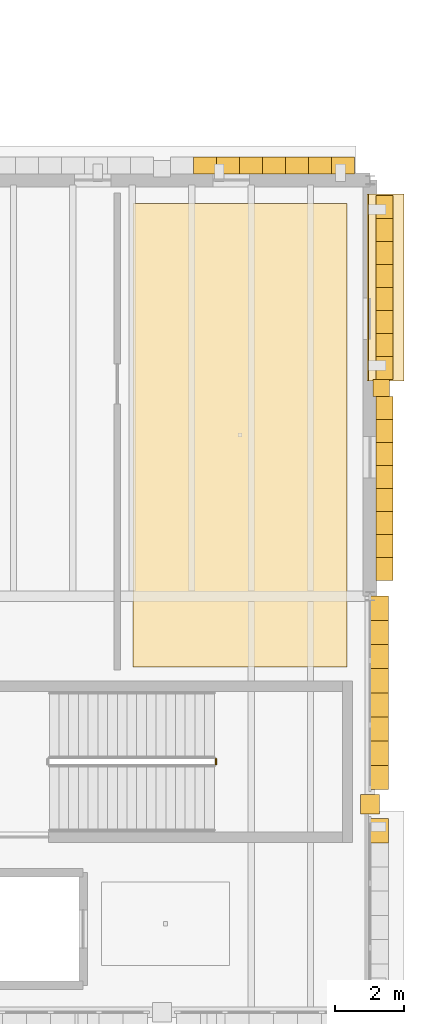
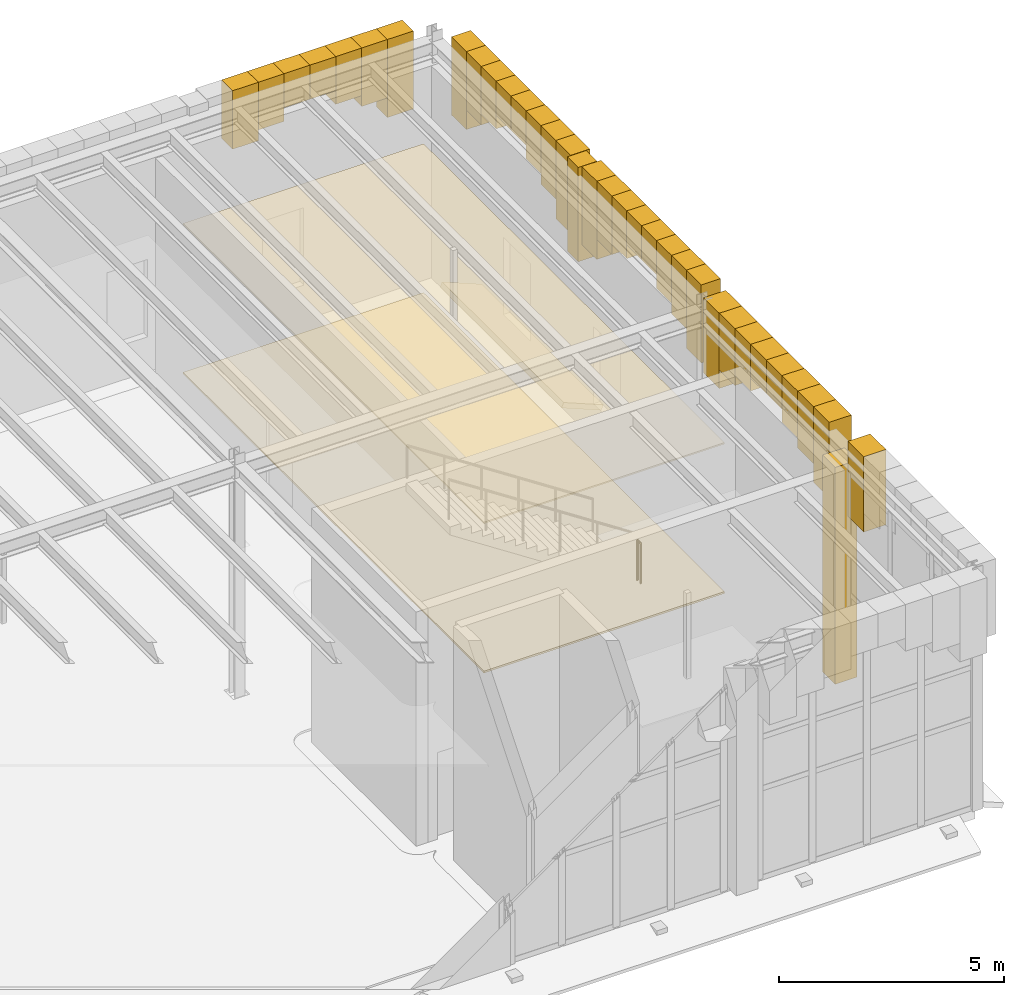
# One storey, part 61 of 62: 37 coverings, 1 railing.
"""IFC4 building model written with IfcOpenShell, lengths in metres."""

from ifc_helpers import new_model, si_unit, direction, frame, origin, origin_2d, place, context, subcontext, project, spatial, polyline, circle, outline, extrude, material, layer, layer_set, type_object, element, save


model = new_model("IFC4")

# Units and contexts
model_context = context("Model", 3, precision=1e-05, world=origin(), true_north=direction((0.0, 1.0)))
body_context = subcontext(model_context, "Body", "Model", "MODEL_VIEW")
ifc_project = project(units=[si_unit("LENGTHUNIT", "METRE"), si_unit("AREAUNIT", "SQUARE_METRE"), si_unit("VOLUMEUNIT", "CUBIC_METRE"), si_unit("PLANEANGLEUNIT", "RADIAN"), si_unit("MASSUNIT", "GRAM", prefix="KILO")], contexts=[model_context])

# Site, building, storey
site_placement = place(None, origin())
site = spatial("IfcSite", under=ifc_project, at=site_placement, CompositionType="ELEMENT")
building_placement = place(site_placement, origin())
building = spatial("IfcBuilding", under=site, at=building_placement, Name="Zlatogorsky Bluff Art Gallery", CompositionType="ELEMENT")
storey_placement = place(building_placement, frame((0.0, 0.0, 16.800048828125)))
storey = spatial("IfcBuildingStorey", under=building, at=storey_placement, Name="L03", CompositionType="ELEMENT", Elevation=16.800048828125)

# Coverings
ifc_material_1 = material(Name="Perforated Gypsum Acoustic Board", Category="gypsum")
ifc_layer_1 = layer(ifc_material_1, 0.0400390625)
ifc_layer_set_1 = layer_set([ifc_layer_1], Name="Acoustic Gallery Ceiling CLG-01")
covering_type_1 = type_object("IfcCoveringType", Name="Acoustic Gallery Ceiling CLG-01", PredefinedType="CEILING", material=ifc_layer_set_1)
covering_1_placement = place(storey_placement, frame((0.0, 0.0, 4.050048828125)))
element("IfcCovering", 1, at=covering_1_placement, inside=storey, type_object=covering_type_1, Name="Curatorial and Registrar Suite acoustic ceiling", PredefinedType="CEILING", context=body_context, shape_type="SweptSolid", body=[
    extrude(outline(polyline([(149.16064453125, 93.9599609375), (149.16064453125, 107.330078125), (155.330078125, 107.330078125), (155.330078125, 93.9599609375), (149.16064453125, 93.9599609375)])), origin(), (0.0, 0.0, 1.0), 0.039794921875),
])
ifc_material_2 = material(Name="Honed Red Agra-Tone Quartzitic Sandstone", Category="masonry")
ifc_layer_2 = layer(ifc_material_2, 0.1201171875)
ifc_layer_set_2 = layer_set([ifc_layer_2], Name="Carved Sandstone Cladding CLD-02")
covering_type_2 = type_object("IfcCoveringType", Name="Carved Sandstone Cladding CLD-02", PredefinedType="CLADDING", material=ifc_layer_set_2)
covering_2_placement = place(storey_placement, frame((0.0, 0.0, -0.030029296875)))
element("IfcCovering", 2, at=covering_2_placement, inside=storey, type_object=covering_type_2, Name="Mughal dalan central sandstone pier L03 E 12.8", PredefinedType="CLADDING", context=body_context, shape_type="SweptSolid", body=[
    extrude(outline(polyline([(155.719970703125, 89.719970703125), (156.280029296875, 89.719970703125), (156.280029296875, 90.280029296875), (155.719970703125, 90.280029296875), (155.719970703125, 89.719970703125)])), origin(), (0.0, 0.0, 1.0), 5.8798828125),
])
covering_3_placement = place(storey_placement, frame((0.0, 0.0, 4.517822265625)))
element("IfcCovering", 3, at=covering_3_placement, inside=storey, type_object=covering_type_2, Name="Pointed Mughal arch voussoir spandrel ARCH-CW-L03-E-12-08-A.8", PredefinedType="CLADDING", context=body_context, shape_type="SweptSolid", body=[
    extrude(outline(polyline([(155.969970703125, 88.882568359375), (155.969970703125, 89.580078125), (156.5400390625, 89.580078125), (156.5400390625, 88.882568359375), (155.969970703125, 88.882568359375)])), origin(), (0.0, 0.0, 1.0), 2.042236328125),
])
covering_4_placement = place(storey_placement, frame((0.0, 0.0, 4.517822265625)))
element("IfcCovering", 4, at=covering_4_placement, inside=storey, type_object=covering_type_2, Name="Pointed Mughal arch voussoir spandrel ARCH-CW-L03-E-12-08-B.1", PredefinedType="CLADDING", context=body_context, shape_type="SweptSolid", body=[
    extrude(outline(polyline([(155.969970703125, 90.419921875), (155.969970703125, 91.117431640625), (156.5400390625, 91.117431640625), (156.5400390625, 90.419921875), (155.969970703125, 90.419921875)])), origin(), (0.0, 0.0, 1.0), 2.042236328125),
])
covering_5_placement = place(storey_placement, frame((0.0, 0.0, 5.01953125)))
element("IfcCovering", 5, at=covering_5_placement, inside=storey, type_object=covering_type_2, Name="Pointed Mughal arch voussoir spandrel ARCH-CW-L03-E-12-08-B.2", PredefinedType="CLADDING", context=body_context, shape_type="SweptSolid", body=[
    extrude(outline(polyline([(155.969970703125, 91.117431640625), (155.969970703125, 91.81494140625), (156.5400390625, 91.81494140625), (156.5400390625, 91.117431640625), (155.969970703125, 91.117431640625)])), origin(), (0.0, 0.0, 1.0), 1.54052734375),
])
covering_6_placement = place(storey_placement, frame((0.0, 0.0, 5.29638671875)))
element("IfcCovering", 6, at=covering_6_placement, inside=storey, type_object=covering_type_2, Name="Pointed Mughal arch voussoir spandrel ARCH-CW-L03-E-12-08-B.3", PredefinedType="CLADDING", context=body_context, shape_type="SweptSolid", body=[
    extrude(outline(polyline([(155.969970703125, 91.81494140625), (155.969970703125, 92.512451171875), (156.5400390625, 92.512451171875), (156.5400390625, 91.81494140625), (155.969970703125, 91.81494140625)])), origin(), (0.0, 0.0, 1.0), 1.263671875),
])
covering_7_placement = place(storey_placement, frame((0.0, 0.0, 5.64453125)))
element("IfcCovering", 7, at=covering_7_placement, inside=storey, type_object=covering_type_2, Name="Pointed Mughal arch voussoir spandrel ARCH-CW-L03-E-12-08-B.4", PredefinedType="CLADDING", context=body_context, shape_type="SweptSolid", body=[
    extrude(outline(polyline([(155.969970703125, 92.512451171875), (155.969970703125, 93.2099609375), (156.5400390625, 93.2099609375), (156.5400390625, 92.512451171875), (155.969970703125, 92.512451171875)])), origin(), (0.0, 0.0, 1.0), 0.91552734375),
])
covering_8_placement = place(storey_placement, frame((0.0, 0.0, 5.64453125)))
element("IfcCovering", 8, at=covering_8_placement, inside=storey, type_object=covering_type_2, Name="Pointed Mughal arch voussoir spandrel ARCH-CW-L03-E-12-08-B.5", PredefinedType="CLADDING", context=body_context, shape_type="SweptSolid", body=[
    extrude(outline(polyline([(155.969970703125, 93.2099609375), (155.969970703125, 93.907470703125), (156.5400390625, 93.907470703125), (156.5400390625, 93.2099609375), (155.969970703125, 93.2099609375)])), origin(), (0.0, 0.0, 1.0), 0.91552734375),
])
covering_9_placement = place(storey_placement, frame((0.0, 0.0, 5.29638671875)))
element("IfcCovering", 9, at=covering_9_placement, inside=storey, type_object=covering_type_2, Name="Pointed Mughal arch voussoir spandrel ARCH-CW-L03-E-12-08-B.6", PredefinedType="CLADDING", context=body_context, shape_type="SweptSolid", body=[
    extrude(outline(polyline([(155.969970703125, 93.907470703125), (155.969970703125, 94.60498046875), (156.5400390625, 94.60498046875), (156.5400390625, 93.907470703125), (155.969970703125, 93.907470703125)])), origin(), (0.0, 0.0, 1.0), 1.263671875),
])
covering_10_placement = place(storey_placement, frame((0.0, 0.0, 5.01953125)))
element("IfcCovering", 10, at=covering_10_placement, inside=storey, type_object=covering_type_2, Name="Pointed Mughal arch voussoir spandrel ARCH-CW-L03-E-12-08-B.7", PredefinedType="CLADDING", context=body_context, shape_type="SweptSolid", body=[
    extrude(outline(polyline([(155.969970703125, 94.60498046875), (155.969970703125, 95.302490234375), (156.5400390625, 95.302490234375), (156.5400390625, 94.60498046875), (155.969970703125, 94.60498046875)])), origin(), (0.0, 0.0, 1.0), 1.54052734375),
])
covering_11_placement = place(storey_placement, frame((0.0, 0.0, 4.517822265625)))
element("IfcCovering", 11, at=covering_11_placement, inside=storey, type_object=covering_type_2, Name="Pointed Mughal arch voussoir spandrel ARCH-CW-L03-E-12-08-B.8", PredefinedType="CLADDING", context=body_context, shape_type="SweptSolid", body=[
    extrude(outline(polyline([(155.969970703125, 95.302490234375), (155.969970703125, 96.0), (156.5400390625, 96.0), (156.5400390625, 95.302490234375), (155.969970703125, 95.302490234375)])), origin(), (0.0, 0.0, 1.0), 2.042236328125),
])
covering_12_placement = place(storey_placement, frame((0.0, 0.0, 4.9736328125)))
element("IfcCovering", 12, at=covering_12_placement, inside=storey, type_object=covering_type_2, Name="Pointed Mughal arch voussoir spandrel WARCH-L03-N-12-09-B.2", PredefinedType="CLADDING", context=body_context, shape_type="SweptSolid", body=[
    extrude(outline(polyline([(150.91259765625, 108.169921875), (151.574951171875, 108.169921875), (151.574951171875, 108.659912109375), (150.91259765625, 108.659912109375), (150.91259765625, 108.169921875)])), origin(), (0.0, 0.0, 1.0), 1.58642578125),
])
covering_13_placement = place(storey_placement, frame((0.0, 0.0, 5.2666015625)))
element("IfcCovering", 13, at=covering_13_placement, inside=storey, type_object=covering_type_2, Name="Pointed Mughal arch voussoir spandrel WARCH-L03-N-12-09-B.3", PredefinedType="CLADDING", context=body_context, shape_type="SweptSolid", body=[
    extrude(outline(polyline([(151.574951171875, 108.169921875), (152.237548828125, 108.169921875), (152.237548828125, 108.659912109375), (151.574951171875, 108.659912109375), (151.574951171875, 108.169921875)])), origin(), (0.0, 0.0, 1.0), 1.29345703125),
])
covering_14_placement = place(storey_placement, frame((0.0, 0.0, 5.63525390625)))
element("IfcCovering", 14, at=covering_14_placement, inside=storey, type_object=covering_type_2, Name="Pointed Mughal arch voussoir spandrel WARCH-L03-N-12-09-B.4", PredefinedType="CLADDING", context=body_context, shape_type="SweptSolid", body=[
    extrude(outline(polyline([(152.237548828125, 108.169921875), (152.89990234375, 108.169921875), (152.89990234375, 108.659912109375), (152.237548828125, 108.659912109375), (152.237548828125, 108.169921875)])), origin(), (0.0, 0.0, 1.0), 0.9248046875),
])
covering_15_placement = place(storey_placement, frame((0.0, 0.0, 5.63525390625)))
element("IfcCovering", 15, at=covering_15_placement, inside=storey, type_object=covering_type_2, Name="Pointed Mughal arch voussoir spandrel WARCH-L03-N-12-09-B.5", PredefinedType="CLADDING", context=body_context, shape_type="SweptSolid", body=[
    extrude(outline(polyline([(152.89990234375, 108.169921875), (153.5625, 108.169921875), (153.5625, 108.659912109375), (152.89990234375, 108.659912109375), (152.89990234375, 108.169921875)])), origin(), (0.0, 0.0, 1.0), 0.9248046875),
])
covering_16_placement = place(storey_placement, frame((0.0, 0.0, 5.2666015625)))
element("IfcCovering", 16, at=covering_16_placement, inside=storey, type_object=covering_type_2, Name="Pointed Mughal arch voussoir spandrel WARCH-L03-N-12-09-B.6", PredefinedType="CLADDING", context=body_context, shape_type="SweptSolid", body=[
    extrude(outline(polyline([(153.5625, 108.169921875), (154.22509765625, 108.169921875), (154.22509765625, 108.659912109375), (153.5625, 108.659912109375), (153.5625, 108.169921875)])), origin(), (0.0, 0.0, 1.0), 1.29345703125),
])
covering_17_placement = place(storey_placement, frame((0.0, 0.0, 4.9736328125)))
element("IfcCovering", 17, at=covering_17_placement, inside=storey, type_object=covering_type_2, Name="Pointed Mughal arch voussoir spandrel WARCH-L03-N-12-09-B.7", PredefinedType="CLADDING", context=body_context, shape_type="SweptSolid", body=[
    extrude(outline(polyline([(154.22509765625, 108.169921875), (154.887451171875, 108.169921875), (154.887451171875, 108.659912109375), (154.22509765625, 108.659912109375), (154.22509765625, 108.169921875)])), origin(), (0.0, 0.0, 1.0), 1.58642578125),
])
covering_18_placement = place(storey_placement, frame((0.0, 0.0, 4.4423828125)))
element("IfcCovering", 18, at=covering_18_placement, inside=storey, type_object=covering_type_2, Name="Pointed Mughal arch voussoir spandrel WARCH-L03-N-12-09-B.8", PredefinedType="CLADDING", context=body_context, shape_type="SweptSolid", body=[
    extrude(outline(polyline([(154.887451171875, 108.169921875), (155.550048828125, 108.169921875), (155.550048828125, 108.659912109375), (154.887451171875, 108.659912109375), (154.887451171875, 108.169921875)])), origin(), (0.0, 0.0, 1.0), 2.11767578125),
])
covering_19_placement = place(storey_placement, frame((0.0, 0.0, 4.0)))
element("IfcCovering", 19, at=covering_19_placement, inside=storey, type_object=covering_type_2, Name="Mughal blind-arch sandstone pilaster L03.E.12.9", PredefinedType="CLADDING", context=body_context, shape_type="SweptSolid", body=[
    extrude(outline(polyline([(156.080078125, 101.760009765625), (156.56005859375, 101.760009765625), (156.56005859375, 102.239990234375), (156.080078125, 102.239990234375), (156.080078125, 101.760009765625)])), origin(), (0.0, 0.0, 1.0), 2.56005859375),
])
covering_20_placement = place(storey_placement, frame((0.0, 0.0, 4.4423828125)))
element("IfcCovering", 20, at=covering_20_placement, inside=storey, type_object=covering_type_2, Name="Pointed Mughal arch voussoir spandrel WARCH-L03-E-12-09-A.1", PredefinedType="CLADDING", context=body_context, shape_type="SweptSolid", body=[
    extrude(outline(polyline([(156.169921875, 96.449951171875), (156.169921875, 97.112548828125), (156.659912109375, 97.112548828125), (156.659912109375, 96.449951171875), (156.169921875, 96.449951171875)])), origin(), (0.0, 0.0, 1.0), 2.11767578125),
])
covering_21_placement = place(storey_placement, frame((0.0, 0.0, 4.9736328125)))
element("IfcCovering", 21, at=covering_21_placement, inside=storey, type_object=covering_type_2, Name="Pointed Mughal arch voussoir spandrel WARCH-L03-E-12-09-A.2", PredefinedType="CLADDING", context=body_context, shape_type="SweptSolid", body=[
    extrude(outline(polyline([(156.169921875, 97.112548828125), (156.169921875, 97.77490234375), (156.659912109375, 97.77490234375), (156.659912109375, 97.112548828125), (156.169921875, 97.112548828125)])), origin(), (0.0, 0.0, 1.0), 1.58642578125),
])
covering_22_placement = place(storey_placement, frame((0.0, 0.0, 5.2666015625)))
element("IfcCovering", 22, at=covering_22_placement, inside=storey, type_object=covering_type_2, Name="Pointed Mughal arch voussoir spandrel WARCH-L03-E-12-09-A.3", PredefinedType="CLADDING", context=body_context, shape_type="SweptSolid", body=[
    extrude(outline(polyline([(156.169921875, 97.77490234375), (156.169921875, 98.4375), (156.659912109375, 98.4375), (156.659912109375, 97.77490234375), (156.169921875, 97.77490234375)])), origin(), (0.0, 0.0, 1.0), 1.29345703125),
])
covering_23_placement = place(storey_placement, frame((0.0, 0.0, 5.63525390625)))
element("IfcCovering", 23, at=covering_23_placement, inside=storey, type_object=covering_type_2, Name="Pointed Mughal arch voussoir spandrel WARCH-L03-E-12-09-A.4", PredefinedType="CLADDING", context=body_context, shape_type="SweptSolid", body=[
    extrude(outline(polyline([(156.169921875, 98.4375), (156.169921875, 99.10009765625), (156.659912109375, 99.10009765625), (156.659912109375, 98.4375), (156.169921875, 98.4375)])), origin(), (0.0, 0.0, 1.0), 0.9248046875),
])
covering_24_placement = place(storey_placement, frame((0.0, 0.0, 5.63525390625)))
element("IfcCovering", 24, at=covering_24_placement, inside=storey, type_object=covering_type_2, Name="Pointed Mughal arch voussoir spandrel WARCH-L03-E-12-09-A.5", PredefinedType="CLADDING", context=body_context, shape_type="SweptSolid", body=[
    extrude(outline(polyline([(156.169921875, 99.10009765625), (156.169921875, 99.762451171875), (156.659912109375, 99.762451171875), (156.659912109375, 99.10009765625), (156.169921875, 99.10009765625)])), origin(), (0.0, 0.0, 1.0), 0.9248046875),
])
covering_25_placement = place(storey_placement, frame((0.0, 0.0, 5.2666015625)))
element("IfcCovering", 25, at=covering_25_placement, inside=storey, type_object=covering_type_2, Name="Pointed Mughal arch voussoir spandrel WARCH-L03-E-12-09-A.6", PredefinedType="CLADDING", context=body_context, shape_type="SweptSolid", body=[
    extrude(outline(polyline([(156.169921875, 99.762451171875), (156.169921875, 100.425048828125), (156.659912109375, 100.425048828125), (156.659912109375, 99.762451171875), (156.169921875, 99.762451171875)])), origin(), (0.0, 0.0, 1.0), 1.29345703125),
])
covering_26_placement = place(storey_placement, frame((0.0, 0.0, 4.9736328125)))
element("IfcCovering", 26, at=covering_26_placement, inside=storey, type_object=covering_type_2, Name="Pointed Mughal arch voussoir spandrel WARCH-L03-E-12-09-A.7", PredefinedType="CLADDING", context=body_context, shape_type="SweptSolid", body=[
    extrude(outline(polyline([(156.169921875, 100.425048828125), (156.169921875, 101.08740234375), (156.659912109375, 101.08740234375), (156.659912109375, 100.425048828125), (156.169921875, 100.425048828125)])), origin(), (0.0, 0.0, 1.0), 1.58642578125),
])
covering_27_placement = place(storey_placement, frame((0.0, 0.0, 4.4423828125)))
element("IfcCovering", 27, at=covering_27_placement, inside=storey, type_object=covering_type_2, Name="Pointed Mughal arch voussoir spandrel WARCH-L03-E-12-09-A.8", PredefinedType="CLADDING", context=body_context, shape_type="SweptSolid", body=[
    extrude(outline(polyline([(156.169921875, 101.08740234375), (156.169921875, 101.75), (156.659912109375, 101.75), (156.659912109375, 101.08740234375), (156.169921875, 101.08740234375)])), origin(), (0.0, 0.0, 1.0), 2.11767578125),
])
covering_28_placement = place(storey_placement, frame((0.0, 0.0, 4.4423828125)))
element("IfcCovering", 28, at=covering_28_placement, inside=storey, type_object=covering_type_2, Name="Pointed Mughal arch voussoir spandrel WARCH-L03-E-12-09-B.1", PredefinedType="CLADDING", context=body_context, shape_type="SweptSolid", body=[
    extrude(outline(polyline([(156.169921875, 102.25), (156.169921875, 102.91259765625), (156.659912109375, 102.91259765625), (156.659912109375, 102.25), (156.169921875, 102.25)])), origin(), (0.0, 0.0, 1.0), 2.11767578125),
])
covering_29_placement = place(storey_placement, frame((0.0, 0.0, 4.9736328125)))
element("IfcCovering", 29, at=covering_29_placement, inside=storey, type_object=covering_type_2, Name="Pointed Mughal arch voussoir spandrel WARCH-L03-E-12-09-B.2", PredefinedType="CLADDING", context=body_context, shape_type="SweptSolid", body=[
    extrude(outline(polyline([(156.169921875, 102.91259765625), (156.169921875, 103.574951171875), (156.659912109375, 103.574951171875), (156.659912109375, 102.91259765625), (156.169921875, 102.91259765625)])), origin(), (0.0, 0.0, 1.0), 1.58642578125),
])
covering_30_placement = place(storey_placement, frame((0.0, 0.0, 5.2666015625)))
element("IfcCovering", 30, at=covering_30_placement, inside=storey, type_object=covering_type_2, Name="Pointed Mughal arch voussoir spandrel WARCH-L03-E-12-09-B.3", PredefinedType="CLADDING", context=body_context, shape_type="SweptSolid", body=[
    extrude(outline(polyline([(156.169921875, 103.574951171875), (156.169921875, 104.237548828125), (156.659912109375, 104.237548828125), (156.659912109375, 103.574951171875), (156.169921875, 103.574951171875)])), origin(), (0.0, 0.0, 1.0), 1.29345703125),
])
covering_31_placement = place(storey_placement, frame((0.0, 0.0, 5.63525390625)))
element("IfcCovering", 31, at=covering_31_placement, inside=storey, type_object=covering_type_2, Name="Pointed Mughal arch voussoir spandrel WARCH-L03-E-12-09-B.4", PredefinedType="CLADDING", context=body_context, shape_type="SweptSolid", body=[
    extrude(outline(polyline([(156.169921875, 104.237548828125), (156.169921875, 104.89990234375), (156.659912109375, 104.89990234375), (156.659912109375, 104.237548828125), (156.169921875, 104.237548828125)])), origin(), (0.0, 0.0, 1.0), 0.9248046875),
])
covering_32_placement = place(storey_placement, frame((0.0, 0.0, 5.63525390625)))
element("IfcCovering", 32, at=covering_32_placement, inside=storey, type_object=covering_type_2, Name="Pointed Mughal arch voussoir spandrel WARCH-L03-E-12-09-B.5", PredefinedType="CLADDING", context=body_context, shape_type="SweptSolid", body=[
    extrude(outline(polyline([(156.169921875, 104.89990234375), (156.169921875, 105.5625), (156.659912109375, 105.5625), (156.659912109375, 104.89990234375), (156.169921875, 104.89990234375)])), origin(), (0.0, 0.0, 1.0), 0.9248046875),
])
covering_33_placement = place(storey_placement, frame((0.0, 0.0, 5.2666015625)))
element("IfcCovering", 33, at=covering_33_placement, inside=storey, type_object=covering_type_2, Name="Pointed Mughal arch voussoir spandrel WARCH-L03-E-12-09-B.6", PredefinedType="CLADDING", context=body_context, shape_type="SweptSolid", body=[
    extrude(outline(polyline([(156.169921875, 105.5625), (156.169921875, 106.22509765625), (156.659912109375, 106.22509765625), (156.659912109375, 105.5625), (156.169921875, 105.5625)])), origin(), (0.0, 0.0, 1.0), 1.29345703125),
])
covering_34_placement = place(storey_placement, frame((0.0, 0.0, 4.9736328125)))
element("IfcCovering", 34, at=covering_34_placement, inside=storey, type_object=covering_type_2, Name="Pointed Mughal arch voussoir spandrel WARCH-L03-E-12-09-B.7", PredefinedType="CLADDING", context=body_context, shape_type="SweptSolid", body=[
    extrude(outline(polyline([(156.169921875, 106.22509765625), (156.169921875, 106.887451171875), (156.659912109375, 106.887451171875), (156.659912109375, 106.22509765625), (156.169921875, 106.22509765625)])), origin(), (0.0, 0.0, 1.0), 1.58642578125),
])
covering_35_placement = place(storey_placement, frame((0.0, 0.0, 4.4423828125)))
element("IfcCovering", 35, at=covering_35_placement, inside=storey, type_object=covering_type_2, Name="Pointed Mughal arch voussoir spandrel WARCH-L03-E-12-09-B.8", PredefinedType="CLADDING", context=body_context, shape_type="SweptSolid", body=[
    extrude(outline(polyline([(156.169921875, 106.887451171875), (156.169921875, 107.550048828125), (156.659912109375, 107.550048828125), (156.659912109375, 106.887451171875), (156.169921875, 106.887451171875)])), origin(), (0.0, 0.0, 1.0), 2.11767578125),
])
covering_36_placement = place(storey_placement, frame((155.9599609375, 107.60009765625, -0.0400390625), z_axis=(0.380683013172, 0.0, 0.924705598276), x_axis=(0.0, -1.0, 0.0)))
element("IfcCovering", 36, at=covering_36_placement, inside=storey, type_object=covering_type_2, Name="Projecting sloped Mughal chhajja stone eave CHJ-NE-E-L03B", PredefinedType="CLADDING", context=body_context, shape_type="SweptSolid", body=[
    extrude(outline(polyline([(0.0, 0.0), (5.400146484375, 0.0), (5.400146484375, 1.1030748955691927), (0.0, 1.1030748955691927), (0.0, 0.0)])), origin(), (0.0, 0.0, -1.0), 0.139892578125),
])

# Railing
ifc_material_3 = material(Name="Architectural Bronze and Laminated Glass", Category="glass")
railing_type = type_object("IfcRailingType", Name="Gallery Guard Rail 1100mm", PredefinedType="GUARDRAIL", material=ifc_material_3)
railing_placement = place(storey_placement, frame((151.56005859375, 91.14990234375, 3.300048828125)))
element("IfcRailing", 37, at=railing_placement, inside=storey, type_object=railing_type, Name="L03 ST-04 stair guard 2", PredefinedType="GUARDRAIL", context=body_context, shape_type="SweptSolid", body=[
    extrude(circle(Radius=0.02392578125, at=origin_2d()), frame((0.0, 0.0, 1.076171875), z_axis=(0.0, 1.0, 0.0), x_axis=(-1.0, 0.0, 0.0)), (0.0, 0.0, 1.0), 0.150146484375),
    extrude(circle(Radius=0.02099609375, at=origin_2d()), origin(), (0.0, 0.0, 1.0), 1.052001953125),
    extrude(circle(Radius=0.02099609375, at=origin_2d()), frame((0.0, 0.150146484375, 0.0)), (0.0, 0.0, 1.0), 1.052001953125),
])

# Covering
ifc_material_4 = material(Name="Polished Ural Marble Terrazzo", Category="masonry")
ifc_layer_3 = layer(ifc_material_4, 0.050048828125)
ifc_layer_set_3 = layer_set([ifc_layer_3], Name="Terrazzo Gallery Flooring FLR-01")
covering_type_3 = type_object("IfcCoveringType", Name="Terrazzo Gallery Flooring FLR-01", PredefinedType="FLOORING", material=ifc_layer_set_3)
covering_37_placement = place(storey_placement, origin())
element("IfcCovering", 38, at=covering_37_placement, inside=storey, type_object=covering_type_3, Name="Curatorial and Registrar Suite terrazzo floor finish", PredefinedType="FLOORING", context=body_context, shape_type="SweptSolid", body=[
    extrude(outline(polyline([(149.16064453125, 93.9599609375), (149.16064453125, 107.330078125), (155.330078125, 107.330078125), (155.330078125, 93.9599609375), (149.16064453125, 93.9599609375)])), origin(), (0.0, 0.0, 1.0), 0.050048828125),
])

save(model, "model.ifc")
